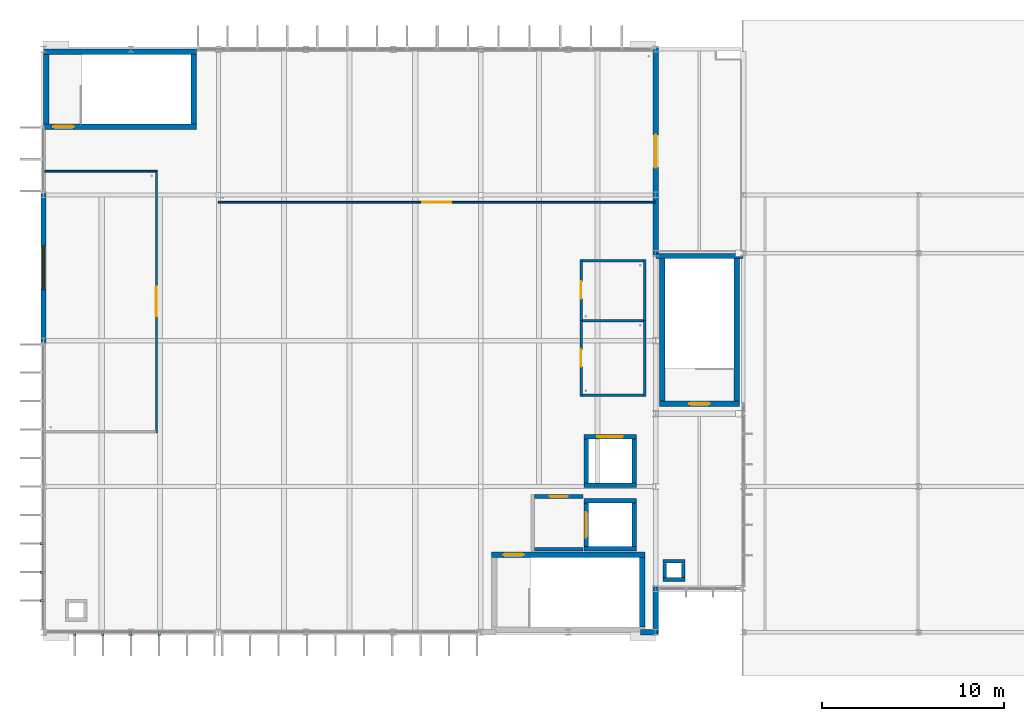
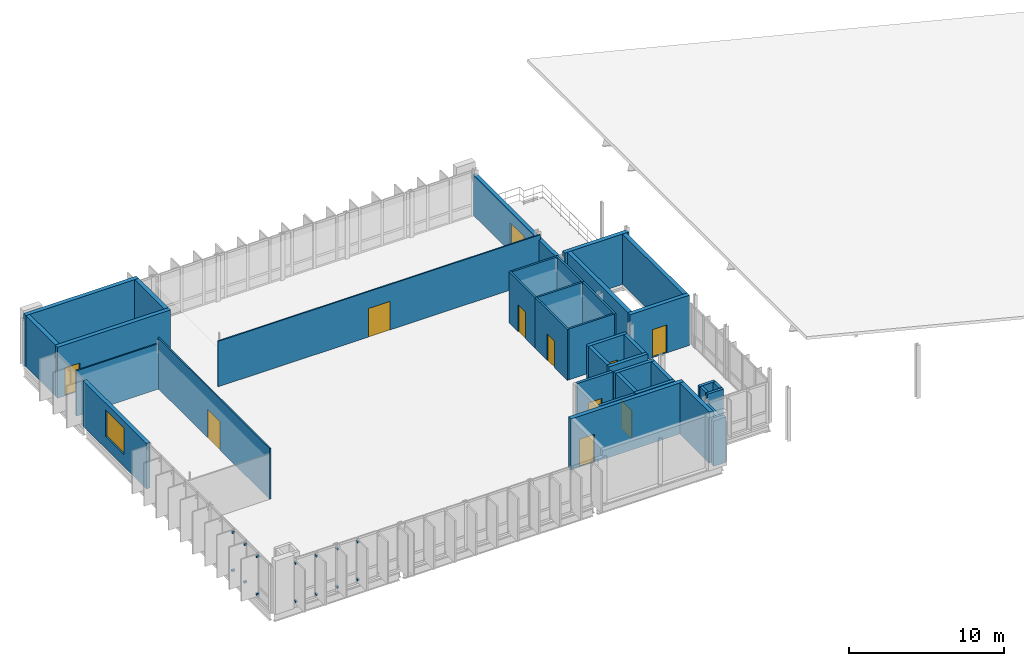
# One storey, part 14 of 22: 38 walls, 14 discrete accessories, 11 doors, 1 window, 12 openings.
"""IFC4 building model written with IfcOpenShell, lengths in metres."""

from ifc_helpers import new_model, si_unit, direction, frame, frame_2d, origin, origin_2d, place, context, subcontext, project, spatial, rectangle, extrude, material, layer, layer_set, type_object, element, fill, save


model = new_model("IFC4")

# Units and contexts
model_context = context("Model", 3, precision=1e-05, world=origin(), true_north=direction((0.0, 1.0)))
body_context = subcontext(model_context, "Body", "Model", "MODEL_VIEW")
ifc_project = project(units=[si_unit("LENGTHUNIT", "METRE"), si_unit("AREAUNIT", "SQUARE_METRE"), si_unit("VOLUMEUNIT", "CUBIC_METRE"), si_unit("PLANEANGLEUNIT", "RADIAN"), si_unit("MASSUNIT", "GRAM", prefix="KILO")], contexts=[model_context])

# Site, building, storey
site_placement = place(None, origin())
site = spatial("IfcSite", under=ifc_project, at=site_placement, CompositionType="ELEMENT")
building_placement = place(site_placement, origin())
building = spatial("IfcBuilding", under=site, at=building_placement, Name="Dunescarp Central Library", CompositionType="ELEMENT")
storey_placement = place(building_placement, frame((0.0, 0.0, 27.60009765625)))
storey = spatial("IfcBuildingStorey", under=building, at=storey_placement, Name="L06", CompositionType="ELEMENT", Elevation=27.60009765625)

# Wall
ifc_material_1 = material(Name="Concrete C35/45", Category="concrete")
ifc_layer_1 = layer(ifc_material_1, 0.199951171875)
ifc_layer_set_1 = layer_set([ifc_layer_1], Name="Concrete C35/45")
wall_type_1 = type_object("IfcWallType", Name="ARC-PT-FIRE200", PredefinedType="PARTITIONING", material=ifc_layer_set_1)
wall_1_placement = place(storey_placement, frame((26.949951171875, 9.35009765625, 0.0), z_axis=(0.0, 0.0, 1.0), x_axis=(1.0, 0.0, 0.0)))
element("IfcWall", 1, at=wall_1_placement, inside=storey, type_object=wall_type_1, Name="L06 partition PT-L06-0133", PredefinedType="PARTITIONING", context=body_context, shape_type="SweptSolid", body=[
    extrude(rectangle(XDim=2.650146484375, YDim=0.199951171875, at=frame_2d((1.3251953125, 0.0))), origin(), (0.0, 0.0, 1.0), 4.0),
])

# Wall, opening, door
wall_2_placement = place(storey_placement, frame((26.949951171875, 12.25, 0.0), z_axis=(0.0, 0.0, 1.0), x_axis=(1.0, 0.0, 0.0)))
wall_2 = element("IfcWall", 2, at=wall_2_placement, inside=storey, type_object=wall_type_1, Name="L06 partition PT-L06-0134", PredefinedType="PARTITIONING", context=body_context, shape_type="SweptSolid", body=[
    extrude(rectangle(XDim=2.650146484375, YDim=0.199951171875, at=frame_2d((1.3251953125, 0.0))), origin(), (0.0, 0.0, 1.0), 4.0),
])
opening_1_placement = place(wall_2_placement, frame((0.824951171875, 0.0, 0.0)))
opening_1 = element("IfcOpeningElement", 3, at=opening_1_placement, cuts=wall_2, Name="Opening DR-L06-0051", PredefinedType="OPENING", context=body_context, shape_type="SweptSolid", body=[
    extrude(rectangle(XDim=1.0, YDim=2.199951171875, at=frame_2d((0.5, 1.10009765625))), frame((0.0, 0.10986328125, 0.0), z_axis=(0.0, -1.0, 0.0), x_axis=(1.0, 0.0, 0.0)), (0.0, 0.0, 1.0), 0.219970703125),
])
ifc_material_2 = material(Name="Hardwood solid-core timber leaf", Category="wood")
door_type_1 = type_object("IfcDoorType", Name="ARC-DR-INT1000", OperationType="NOTDEFINED", PredefinedType="DOOR", material=ifc_material_2)
door_1_placement = place(opening_1_placement, origin())
door_1 = element("IfcDoor", 4, at=door_1_placement, inside=storey, type_object=door_type_1, Name="L06 interior door DR-L06-0051", OperationType="SINGLE_SWING_LEFT", OverallHeight=2.199951171875, OverallWidth=1.0, PredefinedType="DOOR", context=body_context, shape_type="SweptSolid", body=[
    extrude(rectangle(XDim=1.0, YDim=2.199951171875, at=frame_2d((0.5, 1.10009765625))), frame((0.0, 0.02490234375, 0.0), z_axis=(0.0, -1.0, 0.0), x_axis=(1.0, 0.0, 0.0)), (0.0, 0.0, 1.0), 0.050048828125),
])
fill(opening_1, door_1)

# Wall
ifc_material_3 = material(Name="Solar-control laminated double glazing", Category="glass")
ifc_layer_2 = layer(ifc_material_3, 0.10009765625)
ifc_layer_set_2 = layer_set([ifc_layer_2], Name="Solar-control laminated double glazing")
wall_type_2 = type_object("IfcWallType", Name="ARC-PT-GLZ100", PredefinedType="MOVABLE", material=ifc_layer_set_2)
wall_3_placement = place(storey_placement, frame((0.0400390625, 30.10009765625, 0.0), z_axis=(0.0, 0.0, 1.0), x_axis=(1.0, 0.0, 0.0)))
element("IfcWall", 5, at=wall_3_placement, inside=storey, type_object=wall_type_2, Name="L06 partition PT-L06-0144", PredefinedType="MOVABLE", context=body_context, shape_type="SweptSolid", body=[
    extrude(rectangle(XDim=6.10986328125, YDim=0.10009765625, at=frame_2d((3.054931640625, 0.0))), origin(), (0.0, 0.0, 1.0), 3.574951171875),
])

# Wall, opening, door
wall_4_placement = place(storey_placement, frame((6.199951171875, 15.75, 0.0), z_axis=(0.0, 0.0, 1.0), x_axis=(0.0, 1.0, 0.0)))
wall_4 = element("IfcWall", 6, at=wall_4_placement, inside=storey, type_object=wall_type_2, Name="L06 partition PT-L06-0145", PredefinedType="MOVABLE", context=body_context, shape_type="SweptSolid", body=[
    extrude(rectangle(XDim=14.39990234375, YDim=0.10009765625, at=frame_2d((7.199951171875, 0.0))), origin(), (0.0, 0.0, 1.0), 4.0),
])
opening_2_placement = place(wall_4_placement, frame((6.39990234375, 0.0, 0.0)))
opening_2 = element("IfcOpeningElement", 7, at=opening_2_placement, cuts=wall_4, Name="Opening DR-L06-0054", PredefinedType="OPENING", context=body_context, shape_type="SweptSolid", body=[
    extrude(rectangle(XDim=1.60009765625, YDim=2.25, at=frame_2d((0.800048828125, 1.125))), frame((0.0, 0.06005859375, 0.0), z_axis=(0.0, -1.0, 0.0), x_axis=(1.0, 0.0, 0.0)), (0.0, 0.0, 1.0), 0.1201171875),
])
ifc_material_4 = material(Name="Marine-grade anodised aluminium 6063-T6", Category="aluminium")
door_type_2 = type_object("IfcDoorType", Name="ARC-DR-DBL1600", OperationType="DOUBLE_DOOR_SINGLE_SWING", PredefinedType="DOOR", material=ifc_material_4)
door_2_placement = place(opening_2_placement, origin())
door_2 = element("IfcDoor", 8, at=door_2_placement, inside=storey, type_object=door_type_2, Name="L06 interior door DR-L06-0054", OperationType="DOUBLE_DOOR_SINGLE_SWING", OverallHeight=2.25, OverallWidth=1.60009765625, PredefinedType="DOOR", context=body_context, shape_type="SweptSolid", body=[
    extrude(rectangle(XDim=1.60009765625, YDim=2.25, at=frame_2d((0.800048828125, 1.125))), frame((0.0, 0.02490234375, 0.0), z_axis=(0.0, -1.0, 0.0), x_axis=(1.0, 0.0, 0.0)), (0.0, 0.0, 1.0), 0.050048828125),
])
fill(opening_2, door_2)

wall_5_placement = place(storey_placement, frame((9.60009765625, 28.39990234375, 0.0), z_axis=(0.0, 0.0, 1.0), x_axis=(1.0, 0.0, 0.0)))
wall_5 = element("IfcWall", 9, at=wall_5_placement, inside=storey, type_object=wall_type_2, Name="L06 partition PT-L06-0146", PredefinedType="MOVABLE", context=body_context, shape_type="SweptSolid", body=[
    extrude(rectangle(XDim=23.9599609375, YDim=0.10009765625, at=frame_2d((11.97998046875, 0.0))), origin(), (0.0, 0.0, 1.0), 3.574951171875),
])
opening_3_placement = place(wall_5_placement, frame((11.179931640625, 0.0, 0.0)))
opening_3 = element("IfcOpeningElement", 10, at=opening_3_placement, cuts=wall_5, Name="Opening DR-L06-0055", PredefinedType="OPENING", context=body_context, shape_type="SweptSolid", body=[
    extrude(rectangle(XDim=1.60009765625, YDim=2.25, at=frame_2d((0.800048828125, 1.125))), frame((0.0, 0.06005859375, 0.0), z_axis=(0.0, -1.0, 0.0), x_axis=(1.0, 0.0, 0.0)), (0.0, 0.0, 1.0), 0.1201171875),
])
door_3_placement = place(opening_3_placement, origin())
door_3 = element("IfcDoor", 11, at=door_3_placement, inside=storey, type_object=door_type_2, Name="L06 interior door DR-L06-0055", OperationType="DOUBLE_DOOR_SINGLE_SWING", OverallHeight=2.25, OverallWidth=1.60009765625, PredefinedType="DOOR", context=body_context, shape_type="SweptSolid", body=[
    extrude(rectangle(XDim=1.60009765625, YDim=2.25, at=frame_2d((0.800048828125, 1.125))), frame((0.0, 0.02490234375, 0.0), z_axis=(0.0, -1.0, 0.0), x_axis=(1.0, 0.0, 0.0)), (0.0, 0.0, 1.0), 0.050048828125),
])
fill(opening_3, door_3)

# Walls
ifc_material_5 = material(Name="Autoclaved aerated concrete block", Category="concrete")
ifc_layer_3 = layer(ifc_material_5, 0.139892578125)
ifc_layer_set_3 = layer_set([ifc_layer_3], Name="Autoclaved aerated concrete block")
wall_type_3 = type_object("IfcWallType", Name="ARC-PT-WET140", PredefinedType="PARTITIONING", material=ifc_layer_set_3)
for number, where, z_axis, x_axis, name in (
    (12, (29.570068359375, 17.800048828125, 0.0), (0.0, 0.0, 1.0), (1.0, 0.0, 0.0), "L06 partition PT-L06-0136"),
    (13, (29.570068359375, 21.89990234375, 0.0), (0.0, 0.0, 1.0), (1.0, 0.0, 0.0), "L06 partition PT-L06-0137"),
):
    element("IfcWall", number, at=place(storey_placement, frame(where, z_axis=z_axis, x_axis=x_axis)), inside=storey, type_object=wall_type_3, Name=name, PredefinedType="PARTITIONING", context=body_context, shape_type="SweptSolid", body=[
        extrude(rectangle(XDim=3.35986328125, YDim=0.139892578125, at=frame_2d((1.679931640625, 0.0))), origin(), (0.0, 0.0, 1.0), 4.0),
    ])

# Wall, opening, door
wall_6_placement = place(storey_placement, frame((29.5, 17.72998046875, 0.0), z_axis=(0.0, 0.0, 1.0), x_axis=(0.0, 1.0, 0.0)))
wall_6 = element("IfcWall", 14, at=wall_6_placement, inside=storey, type_object=wall_type_3, Name="L06 partition PT-L06-0138", PredefinedType="PARTITIONING", context=body_context, shape_type="SweptSolid", body=[
    extrude(rectangle(XDim=4.239990234375, YDim=0.139892578125, at=frame_2d((2.1201171875, 0.0))), origin(), (0.0, 0.0, 1.0), 4.0),
])
opening_4_placement = place(wall_6_placement, frame((1.64501953125, 0.0, 0.0)))
opening_4 = element("IfcOpeningElement", 15, at=opening_4_placement, cuts=wall_6, Name="Opening DR-L06-0052", PredefinedType="OPENING", context=body_context, shape_type="SweptSolid", body=[
    extrude(rectangle(XDim=0.949951171875, YDim=2.10009765625, at=frame_2d((0.47509765625, 1.050048828125))), frame((0.0, 0.080078125, 0.0), z_axis=(0.0, -1.0, 0.0), x_axis=(1.0, 0.0, 0.0)), (0.0, 0.0, 1.0), 0.159912109375),
])
door_type_3 = type_object("IfcDoorType", Name="ARC-DR-WC950", OperationType="NOTDEFINED", PredefinedType="DOOR", material=ifc_material_2)
door_4_placement = place(opening_4_placement, origin())
door_4 = element("IfcDoor", 16, at=door_4_placement, inside=storey, type_object=door_type_3, Name="L06 interior door DR-L06-0052", OperationType="SINGLE_SWING_RIGHT", OverallHeight=2.10009765625, OverallWidth=0.949951171875, PredefinedType="DOOR", context=body_context, shape_type="SweptSolid", body=[
    extrude(rectangle(XDim=0.949951171875, YDim=2.10009765625, at=frame_2d((0.47509765625, 1.050048828125))), frame((0.0, 0.02490234375, 0.0), z_axis=(0.0, -1.0, 0.0), x_axis=(1.0, 0.0, 0.0)), (0.0, 0.0, 1.0), 0.050048828125),
])
fill(opening_4, door_4)

# Walls
wall_7_placement = place(storey_placement, frame((33.0, 17.72998046875, 0.0), z_axis=(0.0, 0.0, 1.0), x_axis=(0.0, 1.0, 0.0)))
element("IfcWall", 17, at=wall_7_placement, inside=storey, type_object=wall_type_3, Name="L06 partition PT-L06-0139", PredefinedType="PARTITIONING", context=body_context, shape_type="SweptSolid", body=[
    extrude(rectangle(XDim=4.239990234375, YDim=0.139892578125, at=frame_2d((2.1201171875, 0.0))), origin(), (0.0, 0.0, 1.0), 4.0),
])
wall_8_placement = place(storey_placement, frame((29.570068359375, 25.199951171875, 0.0), z_axis=(0.0, 0.0, 1.0), x_axis=(1.0, 0.0, 0.0)))
element("IfcWall", 18, at=wall_8_placement, inside=storey, type_object=wall_type_3, Name="L06 partition PT-L06-0140", PredefinedType="PARTITIONING", context=body_context, shape_type="SweptSolid", body=[
    extrude(rectangle(XDim=3.35986328125, YDim=0.139892578125, at=frame_2d((1.679931640625, 0.0))), origin(), (0.0, 0.0, 1.0), 4.0),
])

# Wall, opening, door
wall_9_placement = place(storey_placement, frame((29.5, 21.89990234375, 0.0), z_axis=(0.0, 0.0, 1.0), x_axis=(0.0, 1.0, 0.0)))
wall_9 = element("IfcWall", 19, at=wall_9_placement, inside=storey, type_object=wall_type_3, Name="L06 partition PT-L06-0141", PredefinedType="PARTITIONING", context=body_context, shape_type="SweptSolid", body=[
    extrude(rectangle(XDim=3.3701171875, YDim=0.139892578125, at=frame_2d((1.68505859375, 0.0))), origin(), (0.0, 0.0, 1.0), 4.0),
])
opening_5_placement = place(wall_9_placement, frame((1.2099609375, 0.0, 0.0)))
opening_5 = element("IfcOpeningElement", 20, at=opening_5_placement, cuts=wall_9, Name="Opening DR-L06-0053", PredefinedType="OPENING", context=body_context, shape_type="SweptSolid", body=[
    extrude(rectangle(XDim=0.949951171875, YDim=2.10009765625, at=frame_2d((0.47509765625, 1.050048828125))), frame((0.0, 0.080078125, 0.0), z_axis=(0.0, -1.0, 0.0), x_axis=(1.0, 0.0, 0.0)), (0.0, 0.0, 1.0), 0.159912109375),
])
door_5_placement = place(opening_5_placement, origin())
door_5 = element("IfcDoor", 21, at=door_5_placement, inside=storey, type_object=door_type_3, Name="L06 interior door DR-L06-0053", OperationType="SINGLE_SWING_LEFT", OverallHeight=2.10009765625, OverallWidth=0.949951171875, PredefinedType="DOOR", context=body_context, shape_type="SweptSolid", body=[
    extrude(rectangle(XDim=0.949951171875, YDim=2.10009765625, at=frame_2d((0.47509765625, 1.050048828125))), frame((0.0, 0.02490234375, 0.0), z_axis=(0.0, -1.0, 0.0), x_axis=(1.0, 0.0, 0.0)), (0.0, 0.0, 1.0), 0.050048828125),
])
fill(opening_5, door_5)

# Walls
wall_10_placement = place(storey_placement, frame((33.0, 21.89990234375, 0.0), z_axis=(0.0, 0.0, 1.0), x_axis=(0.0, 1.0, 0.0)))
element("IfcWall", 22, at=wall_10_placement, inside=storey, type_object=wall_type_3, Name="L06 partition PT-L06-0142", PredefinedType="PARTITIONING", context=body_context, shape_type="SweptSolid", body=[
    extrude(rectangle(XDim=3.3701171875, YDim=0.139892578125, at=frame_2d((1.68505859375, 0.0))), origin(), (0.0, 0.0, 1.0), 4.0),
])
ifc_material_6 = material(Name="Glass-fibre reinforced concrete GRC", Category="concrete")
ifc_layer_4 = layer(ifc_material_6, 0.280029296875)
ifc_layer_set_4 = layer_set([ifc_layer_4], Name="Glass-fibre reinforced concrete GRC")
wall_type_4 = type_object("IfcWallType", Name="ARC-WL-GRC280", PredefinedType="SOLIDWALL", material=ifc_layer_set_4)
wall_11_placement = place(storey_placement, frame((33.68505859375, 4.800048828125, 0.0), z_axis=(0.0, 0.0, 1.0), x_axis=(-1.0, 0.0, 0.0)))
element("IfcWall", 23, at=wall_11_placement, inside=storey, type_object=wall_type_4, Name="L06 external wall EW-V1-027", PredefinedType="SOLIDWALL", context=body_context, shape_type="SweptSolid", body=[
    extrude(rectangle(XDim=0.920166015625, YDim=0.280029296875, at=frame_2d((0.4599609375, 0.0))), origin(), (0.0, 0.0, 1.0), 3.574951171875),
])

# Wall, opening, window
wall_12_placement = place(storey_placement, frame((0.0, 20.715087890625, 0.0), z_axis=(0.0, 0.0, 1.0), x_axis=(0.0, 1.0, 0.0)))
wall_12 = element("IfcWall", 24, at=wall_12_placement, inside=storey, type_object=wall_type_4, Name="L06 external wall EW-V1-028", PredefinedType="SOLIDWALL", context=body_context, shape_type="SweptSolid", body=[
    extrude(rectangle(XDim=8.169921875, YDim=0.280029296875, at=frame_2d((4.0849609375, 0.0))), origin(), (0.0, 0.0, 1.0), 3.574951171875),
])
opening_6_placement = place(wall_12_placement, frame((2.885009765625, 0.0, 0.949951171875)))
opening_6 = element("IfcOpeningElement", 25, at=opening_6_placement, cuts=wall_12, Name="Opening WN-007", PredefinedType="OPENING", context=body_context, shape_type="SweptSolid", body=[
    extrude(rectangle(XDim=2.39990234375, YDim=2.10009765625, at=frame_2d((1.199951171875, 1.050048828125))), frame((0.0, 0.14990234375, 0.0), z_axis=(0.0, -1.0, 0.0), x_axis=(1.0, 0.0, 0.0)), (0.0, 0.0, 1.0), 0.300048828125),
])
window_type = type_object("IfcWindowType", Name="ARC-WN-2400X2100", PartitioningType="SINGLE_PANEL", PredefinedType="WINDOW", material=ifc_material_3)
window_placement = place(opening_6_placement, origin())
window = element("IfcWindow", 26, at=window_placement, inside=storey, type_object=window_type, Name="L06 window WN-007", OverallHeight=2.10009765625, OverallWidth=2.39990234375, PartitioningType="SINGLE_PANEL", PredefinedType="WINDOW", context=body_context, shape_type="SweptSolid", body=[
    extrude(rectangle(XDim=2.39990234375, YDim=2.10009765625, at=frame_2d((1.199951171875, 1.050048828125))), frame((0.0, 0.030029296875, 0.0), z_axis=(0.0, -1.0, 0.0), x_axis=(1.0, 0.0, 0.0)), (0.0, 0.0, 1.0), 0.06005859375),
])
fill(opening_6, window)

# Wall
wall_13_placement = place(storey_placement, frame((33.60009765625, 7.284912109375, 0.0), z_axis=(0.0, 0.0, 1.0), x_axis=(0.0, -1.0, 0.0)))
element("IfcWall", 27, at=wall_13_placement, inside=storey, type_object=wall_type_4, Name="L06 external wall EW-V1-029", PredefinedType="SOLIDWALL", context=body_context, shape_type="SweptSolid", body=[
    extrude(rectangle(XDim=2.56982421875, YDim=0.280029296875, at=frame_2d((1.284912109375, 0.0))), origin(), (0.0, 0.0, 1.0), 3.184814453125),
])

# Wall, opening, door
wall_14_placement = place(storey_placement, frame((33.60009765625, 36.885009765625, 0.0), z_axis=(0.0, 0.0, 1.0), x_axis=(0.0, -1.0, 0.0)))
wall_14 = element("IfcWall", 28, at=wall_14_placement, inside=storey, type_object=wall_type_4, Name="L06 external wall EW-V1-030", PredefinedType="SOLIDWALL", context=body_context, shape_type="SweptSolid", body=[
    extrude(rectangle(XDim=11.3701171875, YDim=0.280029296875, at=frame_2d((5.68505859375, 0.0))), origin(), (0.0, 0.0, 1.0), 3.184814453125),
])
opening_7_placement = place(wall_14_placement, frame((4.784912109375, 0.0, 0.0)))
opening_7 = element("IfcOpeningElement", 29, at=opening_7_placement, cuts=wall_14, Name="Opening TD-L06-V1E", PredefinedType="OPENING", context=body_context, shape_type="SweptSolid", body=[
    extrude(rectangle(XDim=1.800048828125, YDim=2.300048828125, at=frame_2d((0.89990234375, 1.14990234375))), frame((0.0, 0.14990234375, 0.0), z_axis=(0.0, -1.0, 0.0), x_axis=(1.0, 0.0, 0.0)), (0.0, 0.0, 1.0), 0.300048828125),
])
door_type_4 = type_object("IfcDoorType", Name="ARC-DR-TER1800", OperationType="NOTDEFINED", PredefinedType="DOOR", material=ifc_material_4)
door_6_placement = place(opening_7_placement, origin())
door_6 = element("IfcDoor", 30, at=door_6_placement, inside=storey, type_object=door_type_4, Name="L06 external door TD-L06-V1E", OperationType="SINGLE_SWING_LEFT", OverallHeight=2.300048828125, OverallWidth=1.800048828125, PredefinedType="DOOR", context=body_context, shape_type="SweptSolid", body=[
    extrude(rectangle(XDim=1.800048828125, YDim=2.300048828125, at=frame_2d((0.89990234375, 1.14990234375))), frame((0.0, 0.02490234375, 0.0), z_axis=(0.0, -1.0, 0.0), x_axis=(1.0, 0.0, 0.0)), (0.0, 0.0, 1.0), 0.050048828125),
])
fill(opening_7, door_6)

# Walls
ifc_layer_5 = layer(ifc_material_1, 0.199951171875)
ifc_layer_set_5 = layer_set([ifc_layer_5], Name="Concrete C35/45")
wall_type_5 = type_object("IfcWallType", Name="ARC-WL-RISER200", PredefinedType="PARTITIONING", material=ifc_layer_set_5)
for number, where, z_axis, x_axis, name in (
    (31, (35.199951171875, 7.699951171875, 0.0), (0.0, 0.0, 1.0), (-1.0, 0.0, 0.0), "L06 GL1 duct shaft wall S"),
    (32, (34.0, 8.699951171875, 0.0), (0.0, 0.0, 1.0), (1.0, 0.0, 0.0), "L06 GL1 duct shaft wall N"),
):
    element("IfcWall", number, at=place(storey_placement, frame(where, z_axis=z_axis, x_axis=x_axis)), inside=storey, type_object=wall_type_5, Name=name, PredefinedType="PARTITIONING", context=body_context, shape_type="SweptSolid", body=[
        extrude(rectangle(XDim=1.199951171875, YDim=0.199951171875, at=frame_2d((0.60009765625, 0.0))), origin(), (0.0, 0.0, 1.0), 3.454833984375),
    ])
for number, where, z_axis, x_axis, name in (
    (33, (34.10009765625, 7.820068359375, 0.0), (0.0, 0.0, 1.0), (0.0, 1.0, 0.0), "L06 GL1 duct shaft wall W"),
    (34, (35.10009765625, 8.580078125, 0.0), (0.0, 0.0, 1.0), (0.0, -1.0, 0.0), "L06 GL1 duct shaft wall E"),
):
    element("IfcWall", number, at=place(storey_placement, frame(where, z_axis=z_axis, x_axis=x_axis)), inside=storey, type_object=wall_type_5, Name=name, PredefinedType="PARTITIONING", context=body_context, shape_type="SweptSolid", body=[
        extrude(rectangle(XDim=0.760009765625, YDim=0.199951171875, at=frame_2d((0.3798828125, 0.0))), origin(), (0.0, 0.0, 1.0), 3.454833984375),
    ])
ifc_material_7 = material(Name="Concrete C40/50", Category="concrete")
ifc_layer_6 = layer(ifc_material_7, 0.25)
ifc_layer_set_6 = layer_set([ifc_layer_6], Name="Concrete C40/50")
wall_type_6 = type_object("IfcWallType", Name="STR-WL-CORE250", PredefinedType="SHEAR", material=ifc_layer_set_6)
for number, where, z_axis, x_axis, name in (
    (35, (32.550048828125, 9.375, 0.0), (0.0, 0.0, 1.0), (-1.0, 0.0, 0.0), "L06 FFL-1 lift shaft wall S"),
    (36, (29.64990234375, 12.02490234375, 0.0), (0.0, 0.0, 1.0), (1.0, 0.0, 0.0), "L06 FFL-1 lift shaft wall N"),
):
    element("IfcWall", number, at=place(storey_placement, frame(where, z_axis=z_axis, x_axis=x_axis)), inside=storey, type_object=wall_type_6, Name=name, PredefinedType="SHEAR", context=body_context, shape_type="SweptSolid", body=[
        extrude(rectangle(XDim=2.900146484375, YDim=0.25, at=frame_2d((1.4501953125, 0.0))), origin(), (0.0, 0.0, 1.0), 4.014892578125),
    ])

# Wall, opening, door
wall_15_placement = place(storey_placement, frame((29.77490234375, 9.5, 0.0), z_axis=(0.0, 0.0, 1.0), x_axis=(0.0, 1.0, 0.0)))
wall_15 = element("IfcWall", 37, at=wall_15_placement, inside=storey, type_object=wall_type_6, Name="L06 FFL-1 lift shaft wall W", PredefinedType="SHEAR", context=body_context, shape_type="SweptSolid", body=[
    extrude(rectangle(XDim=2.39990234375, YDim=0.25, at=frame_2d((1.199951171875, 0.0))), origin(), (0.0, 0.0, 1.0), 4.014892578125),
])
opening_8_placement = place(wall_15_placement, frame((0.5, 0.0, 0.0)))
opening_8 = element("IfcOpeningElement", 38, at=opening_8_placement, cuts=wall_15, Name="Opening LD-FFL-1-L06", PredefinedType="OPENING", context=body_context, shape_type="SweptSolid", body=[
    extrude(rectangle(XDim=1.39990234375, YDim=2.199951171875, at=frame_2d((0.699951171875, 1.10009765625))), frame((0.0, 0.135009765625, 0.0), z_axis=(0.0, -1.0, 0.0), x_axis=(1.0, 0.0, 0.0)), (0.0, 0.0, 1.0), 0.27001953125),
])
ifc_material_8 = material(Name="Stainless steel Grade 316L", Category="steel")
door_type_5 = type_object("IfcDoorType", Name="ARC-DR-LD1400", OperationType="DOUBLE_DOOR_SLIDING", PredefinedType="DOOR", material=ifc_material_8)
door_7_placement = place(opening_8_placement, origin())
door_7 = element("IfcDoor", 39, at=door_7_placement, inside=storey, type_object=door_type_5, Name="L06 FFL-1 lift landing door", OperationType="DOUBLE_DOOR_SLIDING", OverallHeight=2.199951171875, OverallWidth=1.39990234375, PredefinedType="DOOR", context=body_context, shape_type="SweptSolid", body=[
    extrude(rectangle(XDim=1.39990234375, YDim=2.199951171875, at=frame_2d((0.699951171875, 1.10009765625))), frame((0.0, 0.02490234375, 0.0), z_axis=(0.0, -1.0, 0.0), x_axis=(1.0, 0.0, 0.0)), (0.0, 0.0, 1.0), 0.050048828125),
])
fill(opening_8, door_7)

# Walls
wall_16_placement = place(storey_placement, frame((32.425048828125, 11.89990234375, 0.0), z_axis=(0.0, 0.0, 1.0), x_axis=(0.0, -1.0, 0.0)))
element("IfcWall", 40, at=wall_16_placement, inside=storey, type_object=wall_type_6, Name="L06 FFL-1 lift shaft wall E", PredefinedType="SHEAR", context=body_context, shape_type="SweptSolid", body=[
    extrude(rectangle(XDim=2.39990234375, YDim=0.25, at=frame_2d((1.199951171875, 0.0))), origin(), (0.0, 0.0, 1.0), 4.014892578125),
])
wall_17_placement = place(storey_placement, frame((32.550048828125, 12.875, 0.0), z_axis=(0.0, 0.0, 1.0), x_axis=(-1.0, 0.0, 0.0)))
element("IfcWall", 41, at=wall_17_placement, inside=storey, type_object=wall_type_6, Name="L06 SL-1 lift shaft wall S", PredefinedType="SHEAR", context=body_context, shape_type="SweptSolid", body=[
    extrude(rectangle(XDim=2.900146484375, YDim=0.25, at=frame_2d((1.4501953125, 0.0))), origin(), (0.0, 0.0, 1.0), 4.014892578125),
])

# Wall, opening, door
wall_18_placement = place(storey_placement, frame((29.64990234375, 15.52490234375, 0.0), z_axis=(0.0, 0.0, 1.0), x_axis=(1.0, 0.0, 0.0)))
wall_18 = element("IfcWall", 42, at=wall_18_placement, inside=storey, type_object=wall_type_6, Name="L06 SL-1 lift shaft wall N", PredefinedType="SHEAR", context=body_context, shape_type="SweptSolid", body=[
    extrude(rectangle(XDim=2.900146484375, YDim=0.25, at=frame_2d((1.4501953125, 0.0))), origin(), (0.0, 0.0, 1.0), 4.014892578125),
])
opening_9_placement = place(wall_18_placement, frame((0.75, 0.0, 0.0)))
opening_9 = element("IfcOpeningElement", 43, at=opening_9_placement, cuts=wall_18, Name="Opening LD-SL-1-L06", PredefinedType="OPENING", context=body_context, shape_type="SweptSolid", body=[
    extrude(rectangle(XDim=1.39990234375, YDim=2.199951171875, at=frame_2d((0.699951171875, 1.10009765625))), frame((0.0, 0.135009765625, 0.0), z_axis=(0.0, -1.0, 0.0), x_axis=(1.0, 0.0, 0.0)), (0.0, 0.0, 1.0), 0.27001953125),
])
door_8_placement = place(opening_9_placement, origin())
door_8 = element("IfcDoor", 44, at=door_8_placement, inside=storey, type_object=door_type_5, Name="L06 SL-1 lift landing door", OperationType="DOUBLE_DOOR_SLIDING", OverallHeight=2.199951171875, OverallWidth=1.39990234375, PredefinedType="DOOR", context=body_context, shape_type="SweptSolid", body=[
    extrude(rectangle(XDim=1.39990234375, YDim=2.199951171875, at=frame_2d((0.699951171875, 1.10009765625))), frame((0.0, 0.02490234375, 0.0), z_axis=(0.0, -1.0, 0.0), x_axis=(1.0, 0.0, 0.0)), (0.0, 0.0, 1.0), 0.050048828125),
])
fill(opening_9, door_8)

# Walls
for number, where, z_axis, x_axis, name in (
    (45, (29.77490234375, 13.0, 0.0), (0.0, 0.0, 1.0), (0.0, 1.0, 0.0), "L06 SL-1 lift shaft wall W"),
    (46, (32.425048828125, 15.39990234375, 0.0), (0.0, 0.0, 1.0), (0.0, -1.0, 0.0), "L06 SL-1 lift shaft wall E"),
):
    element("IfcWall", number, at=place(storey_placement, frame(where, z_axis=z_axis, x_axis=x_axis)), inside=storey, type_object=wall_type_6, Name=name, PredefinedType="SHEAR", context=body_context, shape_type="SweptSolid", body=[
        extrude(rectangle(XDim=2.39990234375, YDim=0.25, at=frame_2d((1.199951171875, 0.0))), origin(), (0.0, 0.0, 1.0), 4.014892578125),
    ])

# Wall, opening, door
ifc_layer_7 = layer(ifc_material_7, 0.300048828125)
ifc_layer_set_7 = layer_set([ifc_layer_7], Name="Concrete C40/50")
wall_type_7 = type_object("IfcWallType", Name="STR-WL-CORE300", PredefinedType="SHEAR", material=ifc_layer_set_7)
wall_19_placement = place(storey_placement, frame((24.60009765625, 9.050048828125, 0.0), z_axis=(0.0, 0.0, 1.0), x_axis=(1.0, 0.0, 0.0)))
wall_19 = element("IfcWall", 47, at=wall_19_placement, inside=storey, type_object=wall_type_7, Name="L06 ST-1 north core wall", PredefinedType="SHEAR", context=body_context, shape_type="SweptSolid", body=[
    extrude(rectangle(XDim=8.39990234375, YDim=0.300048828125, at=frame_2d((4.199951171875, 0.0))), origin(), (0.0, 0.0, 1.0), 4.014892578125),
])
opening_10_placement = place(wall_19_placement, frame((0.64990234375, 0.0, 0.0)))
opening_10 = element("IfcOpeningElement", 48, at=opening_10_placement, cuts=wall_19, Name="Opening D-ST-1-L06", PredefinedType="OPENING", context=body_context, shape_type="SweptSolid", body=[
    extrude(rectangle(XDim=1.10009765625, YDim=2.199951171875, at=frame_2d((0.550048828125, 1.10009765625))), frame((0.0, 0.16015625, 0.0), z_axis=(0.0, -1.0, 0.0), x_axis=(1.0, 0.0, 0.0)), (0.0, 0.0, 1.0), 0.320068359375),
])
ifc_material_9 = material(Name="Galvanised steel FD120S", Category="steel")
door_type_6 = type_object("IfcDoorType", Name="ARC-DR-STAIR", OperationType="NOTDEFINED", PredefinedType="DOOR", material=ifc_material_9)
door_9_placement = place(opening_10_placement, origin())
door_9 = element("IfcDoor", 49, at=door_9_placement, inside=storey, type_object=door_type_6, Name="L06 ST-1 fire stair door", OperationType="SINGLE_SWING_RIGHT", OverallHeight=2.199951171875, OverallWidth=1.10009765625, PredefinedType="DOOR", context=body_context, shape_type="SweptSolid", body=[
    extrude(rectangle(XDim=1.10009765625, YDim=2.199951171875, at=frame_2d((0.550048828125, 1.10009765625))), frame((0.0, 0.02490234375, 0.0), z_axis=(0.0, -1.0, 0.0), x_axis=(1.0, 0.0, 0.0)), (0.0, 0.0, 1.0), 0.050048828125),
])
fill(opening_10, door_9)

# Wall
wall_20_placement = place(storey_placement, frame((32.85009765625, 8.89990234375, 0.0), z_axis=(0.0, 0.0, 1.0), x_axis=(0.0, -1.0, 0.0)))
element("IfcWall", 50, at=wall_20_placement, inside=storey, type_object=wall_type_7, Name="L06 ST-1 east core wall", PredefinedType="SHEAR", context=body_context, shape_type="SweptSolid", body=[
    extrude(rectangle(XDim=3.7998046875, YDim=0.300048828125, at=frame_2d((1.89990234375, 0.0))), origin(), (0.0, 0.0, 1.0), 4.014892578125),
])

# Wall, opening, door
wall_21_placement = place(storey_placement, frame((8.39990234375, 32.550048828125, 0.0), z_axis=(0.0, 0.0, 1.0), x_axis=(-1.0, 0.0, 0.0)))
wall_21 = element("IfcWall", 51, at=wall_21_placement, inside=storey, type_object=wall_type_7, Name="L06 ST-6 south core wall", PredefinedType="SHEAR", context=body_context, shape_type="SweptSolid", body=[
    extrude(rectangle(XDim=8.39990234375, YDim=0.300048828125, at=frame_2d((4.199951171875, 0.0))), origin(), (0.0, 0.0, 1.0), 4.014892578125),
])
opening_11_placement = place(wall_21_placement, frame((6.75, 0.0, 0.0)))
opening_11 = element("IfcOpeningElement", 52, at=opening_11_placement, cuts=wall_21, Name="Opening D-ST-6-L06", PredefinedType="OPENING", context=body_context, shape_type="SweptSolid", body=[
    extrude(rectangle(XDim=1.10009765625, YDim=2.199951171875, at=frame_2d((0.550048828125, 1.10009765625))), frame((0.0, 0.16015625, 0.0), z_axis=(0.0, -1.0, 0.0), x_axis=(1.0, 0.0, 0.0)), (0.0, 0.0, 1.0), 0.320068359375),
])
door_10_placement = place(opening_11_placement, origin())
door_10 = element("IfcDoor", 53, at=door_10_placement, inside=storey, type_object=door_type_6, Name="L06 ST-6 fire stair door", OperationType="SINGLE_SWING_LEFT", OverallHeight=2.199951171875, OverallWidth=1.10009765625, PredefinedType="DOOR", context=body_context, shape_type="SweptSolid", body=[
    extrude(rectangle(XDim=1.10009765625, YDim=2.199951171875, at=frame_2d((0.550048828125, 1.10009765625))), frame((0.0, 0.02490234375, 0.0), z_axis=(0.0, -1.0, 0.0), x_axis=(1.0, 0.0, 0.0)), (0.0, 0.0, 1.0), 0.050048828125),
])
fill(opening_11, door_10)

# Walls
wall_22_placement = place(storey_placement, frame((0.0, 36.64990234375, 0.0), z_axis=(0.0, 0.0, 1.0), x_axis=(1.0, 0.0, 0.0)))
element("IfcWall", 54, at=wall_22_placement, inside=storey, type_object=wall_type_7, Name="L06 ST-6 north core wall", PredefinedType="SHEAR", context=body_context, shape_type="SweptSolid", body=[
    extrude(rectangle(XDim=8.39990234375, YDim=0.300048828125, at=frame_2d((4.199951171875, 0.0))), origin(), (0.0, 0.0, 1.0), 4.014892578125),
])
for number, where, z_axis, x_axis, name in (
    (55, (0.14990234375, 32.699951171875, 0.0), (0.0, 0.0, 1.0), (0.0, 1.0, 0.0), "L06 ST-6 west core wall"),
    (56, (8.25, 36.5, 0.0), (0.0, 0.0, 1.0), (0.0, -1.0, 0.0), "L06 ST-6 east core wall"),
):
    element("IfcWall", number, at=place(storey_placement, frame(where, z_axis=z_axis, x_axis=x_axis)), inside=storey, type_object=wall_type_7, Name=name, PredefinedType="SHEAR", context=body_context, shape_type="SweptSolid", body=[
        extrude(rectangle(XDim=3.800048828125, YDim=0.300048828125, at=frame_2d((1.89990234375, 0.0))), origin(), (0.0, 0.0, 1.0), 4.014892578125),
    ])

# Wall, opening, door
wall_23_placement = place(storey_placement, frame((38.199951171875, 17.35009765625, 0.0), z_axis=(0.0, 0.0, 1.0), x_axis=(-1.0, 0.0, 0.0)))
wall_23 = element("IfcWall", 57, at=wall_23_placement, inside=storey, type_object=wall_type_7, Name="L06 ST-2 south core wall", PredefinedType="SHEAR", context=body_context, shape_type="SweptSolid", body=[
    extrude(rectangle(XDim=4.39990234375, YDim=0.300048828125, at=frame_2d((2.199951171875, 0.0))), origin(), (0.0, 0.0, 1.0), 3.954833984375),
])
opening_12_placement = place(wall_23_placement, frame((1.64990234375, 0.0, 0.0)))
opening_12 = element("IfcOpeningElement", 58, at=opening_12_placement, cuts=wall_23, Name="Opening D-ST-2-L06", PredefinedType="OPENING", context=body_context, shape_type="SweptSolid", body=[
    extrude(rectangle(XDim=1.10009765625, YDim=2.199951171875, at=frame_2d((0.550048828125, 1.10009765625))), frame((0.0, 0.16015625, 0.0), z_axis=(0.0, -1.0, 0.0), x_axis=(1.0, 0.0, 0.0)), (0.0, 0.0, 1.0), 0.320068359375),
])
door_11_placement = place(opening_12_placement, origin())
door_11 = element("IfcDoor", 59, at=door_11_placement, inside=storey, type_object=door_type_6, Name="L06 ST-2 fire stair door", OperationType="SINGLE_SWING_RIGHT", OverallHeight=2.199951171875, OverallWidth=1.10009765625, PredefinedType="DOOR", context=body_context, shape_type="SweptSolid", body=[
    extrude(rectangle(XDim=1.10009765625, YDim=2.199951171875, at=frame_2d((0.550048828125, 1.10009765625))), frame((0.0, 0.02490234375, 0.0), z_axis=(0.0, -1.0, 0.0), x_axis=(1.0, 0.0, 0.0)), (0.0, 0.0, 1.0), 0.050048828125),
])
fill(opening_12, door_11)

# Walls
wall_24_placement = place(storey_placement, frame((33.6201171875, 25.449951171875, 0.0), z_axis=(0.0, 0.0, 1.0), x_axis=(1.0, 0.0, 0.0)))
element("IfcWall", 60, at=wall_24_placement, inside=storey, type_object=wall_type_7, Name="L06 ST-2 north core wall", PredefinedType="SHEAR", context=body_context, shape_type="SweptSolid", body=[
    extrude(rectangle(XDim=4.759765625, YDim=0.300048828125, at=frame_2d((2.3798828125, 0.0))), origin(), (0.0, 0.0, 1.0), 3.954833984375),
])
for number, where, z_axis, x_axis, name in (
    (61, (33.949951171875, 17.5, 0.0), (0.0, 0.0, 1.0), (0.0, 1.0, 0.0), "L06 ST-2 west core wall"),
    (62, (38.050048828125, 25.300048828125, 0.0), (0.0, 0.0, 1.0), (0.0, -1.0, 0.0), "L06 ST-2 east core wall"),
):
    element("IfcWall", number, at=place(storey_placement, frame(where, z_axis=z_axis, x_axis=x_axis)), inside=storey, type_object=wall_type_7, Name=name, PredefinedType="SHEAR", context=body_context, shape_type="SweptSolid", body=[
        extrude(rectangle(XDim=7.800048828125, YDim=0.300048828125, at=frame_2d((3.89990234375, 0.0))), origin(), (0.0, 0.0, 1.0), 3.954833984375),
    ])

# Discrete accessories
discrete_accessory_type = type_object("IfcDiscreteAccessoryType", Name="ARC-ACC-BRK", PredefinedType="BRACKET", material=ifc_material_8)
for number, where, z_axis, x_axis, name in (
    (63, (6.342041015625, 4.719970703125, 0.27392578125), (0.0, 0.0, 1.0), (0.0, -1.0, 0.0), "Fin bracket BRK-FIN-L06-0269-B"),
    (64, (6.342041015625, 4.719970703125, 3.2451171875), (0.0, 0.0, 1.0), (0.0, -1.0, 0.0), "Fin bracket BRK-FIN-L06-0269-T"),
    (65, (4.800048828125, 4.719970703125, 0.23291015625), (0.0, 0.0, 1.0), (0.0, -1.0, 0.0), "Fin bracket BRK-FIN-L06-0270-B"),
    (66, (4.800048828125, 4.719970703125, 3.2451171875), (0.0, 0.0, 1.0), (0.0, -1.0, 0.0), "Fin bracket BRK-FIN-L06-0270-T"),
    (67, (3.258056640625, 4.719970703125, 0.18994140625), (0.0, 0.0, 1.0), (0.0, -1.0, 0.0), "Fin bracket BRK-FIN-L06-0271-B"),
    (68, (3.258056640625, 4.719970703125, 3.23388671875), (0.0, 0.0, 1.0), (0.0, -1.0, 0.0), "Fin bracket BRK-FIN-L06-0271-T"),
    (69, (1.717041015625, 4.719970703125, 0.18994140625), (0.0, 0.0, 1.0), (0.0, -1.0, 0.0), "Fin bracket BRK-FIN-L06-0272-B"),
    (70, (1.717041015625, 4.719970703125, 3.18408203125), (0.0, 0.0, 1.0), (0.0, -1.0, 0.0), "Fin bracket BRK-FIN-L06-0272-T"),
    (71, (-0.080078125, 6.5400390625, 0.2900390625), (0.0, 0.0, 1.0), (-1.0, 0.0, 0.0), "Fin bracket BRK-FIN-L06-0299-B"),
    (72, (-0.080078125, 6.5400390625, 3.2451171875), (0.0, 0.0, 1.0), (-1.0, 0.0, 0.0), "Fin bracket BRK-FIN-L06-0299-T"),
    (73, (-0.080078125, 8.10498046875, 0.27392578125), (0.0, 0.0, 1.0), (-1.0, 0.0, 0.0), "Fin bracket BRK-FIN-L06-0300-B"),
    (74, (-0.080078125, 8.10498046875, 3.2451171875), (0.0, 0.0, 1.0), (-1.0, 0.0, 0.0), "Fin bracket BRK-FIN-L06-0300-T"),
    (75, (-0.080078125, 9.669921875, 0.23291015625), (0.0, 0.0, 1.0), (-1.0, 0.0, 0.0), "Fin bracket BRK-FIN-L06-0301-B"),
    (76, (-0.080078125, 9.669921875, 3.2451171875), (0.0, 0.0, 1.0), (-1.0, 0.0, 0.0), "Fin bracket BRK-FIN-L06-0301-T"),
):
    element("IfcDiscreteAccessory", number, at=place(storey_placement, frame(where, z_axis=z_axis, x_axis=x_axis)), inside=storey, type_object=discrete_accessory_type, Name=name, PredefinedType="BRACKET", context=body_context, shape_type="SweptSolid", body=[
        extrude(rectangle(XDim=0.219970703125, YDim=0.139892578125, at=origin_2d()), origin(), (0.0, 0.0, 1.0), 0.139892578125),
    ])

save(model, "model.ifc")
